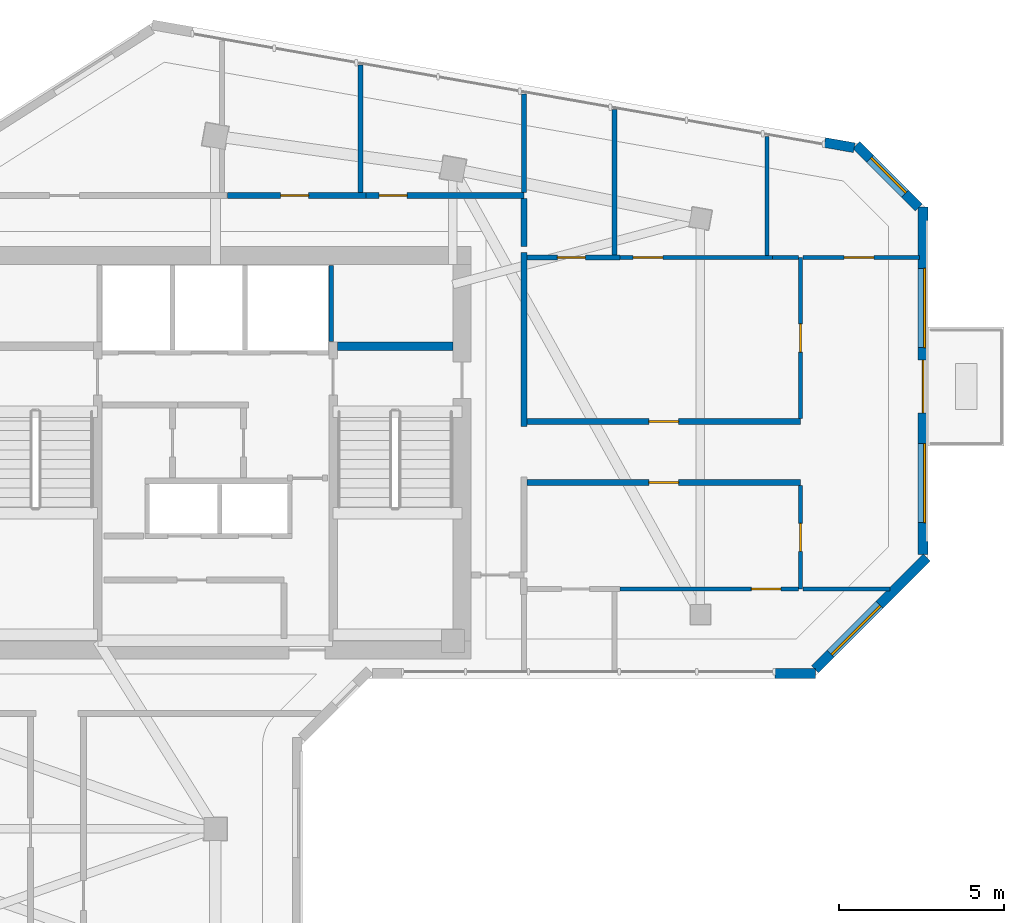
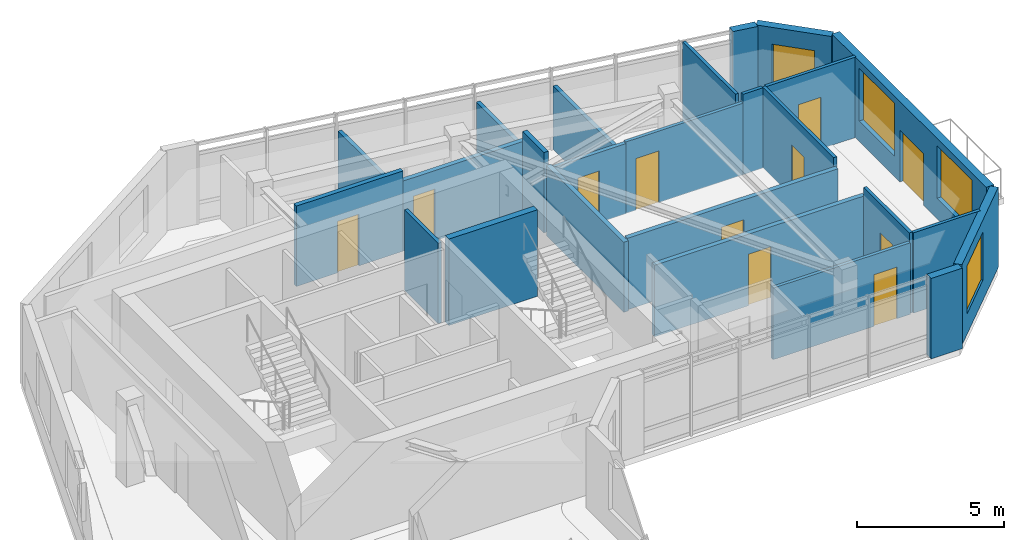
# One storey, part 6 of 10: 25 walls, 11 doors, 4 windows, 15 openings.
"""IFC4 building model written with IfcOpenShell, lengths in metres."""

import ifcopenshell
import ifcopenshell.guid

model = None  # the IFC model being written
_history = None  # IfcOwnerHistory: only IFC2X3 demands one
_inside = {}  # id of a spatial element -> (the spatial element, [elements in it])
_under = {}  # id of a project, library or spatial element -> (it, [spatial elements below it])
_declared = {}  # id of a project -> (the project, [libraries it declares])
_typed = {}  # id of a type object -> (the type object, [elements of that type])
_made_of = {}  # id of a material, layer set ... -> (it, [elements and type objects made of it])


def new_model(schema):
    """Start an empty IFC model of exactly this schema.

    Asked for "IFC4X3", IfcOpenShell would pick the latest addendum, in which some entities
    have other attributes; the version numbers below select the first issue.
    IFC2X3 requires an IfcOwnerHistory on every rooted entity: one is made here for all.
    """
    global model, _history
    if schema == "IFC4X3":
        model = ifcopenshell.file(schema_version=(4, 3, 0, 0))
    else:
        model = ifcopenshell.file(schema=schema)
    _inside.clear()
    _under.clear()
    _declared.clear()
    _typed.clear()
    _made_of.clear()
    _history = None
    if model.schema == "IFC2X3":
        org = make("IfcOrganization", Name="unknown")
        user = make(
            "IfcPersonAndOrganization",
            ThePerson=make("IfcPerson", FamilyName="unknown"),
            TheOrganization=org,
        )
        app = make(
            "IfcApplication",
            ApplicationDeveloper=org,
            Version="unknown",
            ApplicationFullName="unknown",
            ApplicationIdentifier="unknown",
        )
        _history = make(
            "IfcOwnerHistory",
            OwningUser=user,
            OwningApplication=app,
            ChangeAction="ADDED",
            CreationDate=0,
        )
    return model


def make(cls, **values):
    """One entity of the class cls with the attributes given. An attribute that is None is left unset."""
    return model.create_entity(
        cls, **{name: value for name, value in values.items() if value is not None}
    )


def rooted(cls, **values):
    """An entity with a GlobalId (a new one), such as an element, a storey or a relation."""
    return make(cls, GlobalId=ifcopenshell.guid.new(), OwnerHistory=_history, **values)


def si_unit(unit_type, name, prefix=None):
    """IfcSIUnit, for example si_unit("LENGTHUNIT", "METRE", prefix="MILLI")."""
    return make("IfcSIUnit", UnitType=unit_type, Prefix=prefix, Name=name)


def assignment(units):
    """IfcUnitAssignment: the units of a project."""
    return None if units is None else make("IfcUnitAssignment", Units=units)


def point(xyz):
    """IfcCartesianPoint."""
    return None if xyz is None else make("IfcCartesianPoint", Coordinates=xyz)


def direction(xyz):
    """IfcDirection."""
    return None if xyz is None else make("IfcDirection", DirectionRatios=xyz)


def frame(location, z_axis=None, x_axis=None):
    """IfcAxis2Placement3D, a coordinate frame: its origin and axes. An axis left out is left unset."""
    return make(
        "IfcAxis2Placement3D",
        Location=point(location),
        Axis=direction(z_axis),
        RefDirection=direction(x_axis),
    )


def frame_2d(location, x_axis=None):
    """IfcAxis2Placement2D, a coordinate frame in the plane: its origin and x axis."""
    return make(
        "IfcAxis2Placement2D", Location=point(location), RefDirection=direction(x_axis)
    )


def origin():
    """The frame at (0, 0, 0) with its axes left unset."""
    return frame((0.0, 0.0, 0.0))


def place(relative_to, where):
    """IfcLocalPlacement: puts the frame where relative to a parent placement (None: the world)."""
    return make(
        "IfcLocalPlacement", PlacementRelTo=relative_to, RelativePlacement=where
    )


def context(
    kind, dimensions, precision=None, world=None, true_north=None, identifier=None
):
    """IfcGeometricRepresentationContext, for example the 3D "Model" context."""
    return make(
        "IfcGeometricRepresentationContext",
        ContextIdentifier=identifier,
        ContextType=kind,
        CoordinateSpaceDimension=dimensions,
        Precision=precision,
        WorldCoordinateSystem=world,
        TrueNorth=true_north,
    )


def subcontext(parent, identifier, kind, view, scale=None):
    """IfcGeometricRepresentationSubContext, for example "Body" below "Model"."""
    return make(
        "IfcGeometricRepresentationSubContext",
        ContextIdentifier=identifier,
        ContextType=kind,
        ParentContext=parent,
        TargetScale=scale,
        TargetView=view,
    )


def project(units=None, contexts=None):
    """IfcProject with its units and contexts."""
    return rooted(
        "IfcProject",
        Name="project",
        RepresentationContexts=contexts,
        UnitsInContext=assignment(units),
    )


def spatial(cls, under=None, at=None, **own):
    """A site, building, storey or space (cls), placed at a placement, below another one or the project."""
    s = rooted(cls, ObjectPlacement=at, **own)
    if under is not None:
        _under.setdefault(under.id(), (under, []))[1].append(s)
    return s


def profile(cls, at=None, kind="AREA", **sizes):
    """A parametric profile (cls). Its sizes go by their IFC names, for example OverallWidth=200.0."""
    return make(cls, ProfileType=kind, Position=at, **sizes)


def rectangle(**sizes):
    """IfcRectangleProfileDef."""
    return profile("IfcRectangleProfileDef", **sizes)


def extrude(swept, where, along, depth):
    """IfcExtrudedAreaSolid: the profile swept, set in the frame where, extruded along a direction by depth."""
    return make(
        "IfcExtrudedAreaSolid",
        SweptArea=swept,
        Position=where,
        ExtrudedDirection=direction(along),
        Depth=depth,
    )


def shape(context_of_items, identifier, shape_type, items):
    """IfcShapeRepresentation: the items that make up one representation, for example the "Body"."""
    return make(
        "IfcShapeRepresentation",
        ContextOfItems=context_of_items,
        RepresentationIdentifier=identifier,
        RepresentationType=shape_type,
        Items=items,
    )


def source(mapping_origin, context_of_items, identifier, shape_type, items):
    """IfcRepresentationMap: a shape defined once, which mapped items show again and again."""
    return make(
        "IfcRepresentationMap",
        MappingOrigin=mapping_origin,
        MappedRepresentation=shape(context_of_items, identifier, shape_type, items),
    )


def transform(
    local_origin,
    x_axis=None,
    y_axis=None,
    z_axis=None,
    scale=None,
    scale2=None,
    scale3=None,
    uniform=True,
):
    """IfcCartesianTransformationOperator3D, or its non-uniform kind. x_axis, y_axis, z_axis: its Axis1, 2, 3."""
    if uniform:
        return make(
            "IfcCartesianTransformationOperator3D",
            Axis1=direction(x_axis),
            Axis2=direction(y_axis),
            LocalOrigin=point(local_origin),
            Scale=scale,
            Axis3=direction(z_axis),
        )
    return make(
        "IfcCartesianTransformationOperator3DnonUniform",
        Axis1=direction(x_axis),
        Axis2=direction(y_axis),
        LocalOrigin=point(local_origin),
        Scale=scale,
        Axis3=direction(z_axis),
        Scale2=scale2,
        Scale3=scale3,
    )


def mapped(mapping_source, mapping_target):
    """IfcMappedItem: shows the shape of a source again, moved by a transform."""
    return make(
        "IfcMappedItem", MappingSource=mapping_source, MappingTarget=mapping_target
    )


def material(Name=None, Category=None):
    """IfcMaterial."""
    return make("IfcMaterial", Name=Name, Category=Category)


def layer(
    of_material, thickness, ventilated=None, Name=None, Category=None, Priority=None
):
    """IfcMaterialLayer: one layer of a wall or slab, of a material (None: an air gap)."""
    return make(
        "IfcMaterialLayer",
        Material=of_material,
        LayerThickness=thickness,
        IsVentilated=ventilated,
        Name=Name,
        Category=Category,
        Priority=Priority,
    )


def layer_set(layers, Name=None):
    """IfcMaterialLayerSet."""
    return make("IfcMaterialLayerSet", MaterialLayers=layers, LayerSetName=Name)


def made_of(thing, what):
    """Note that an element or type object is made of a material, layer set ...; save() writes the relation."""
    if what is not None:
        _made_of.setdefault(what.id(), (what, []))[1].append(thing)
    return thing


def type_object(cls, material=None, **own):
    """A type object (cls), such as IfcWallType, which elements share."""
    return made_of(rooted(cls, **own), material)


def element(
    cls,
    number,
    at=None,
    inside=None,
    cuts=None,
    type_object=None,
    material=None,
    context=None,
    identifier="Body",
    shape_type=None,
    held_by="IfcProductDefinitionShape",
    body=None,
    shapes=None,
    **own,
):
    """One element of the class cls, such as IfcWall. Its Tag is "e" and its number.

    at: its placement. inside: the storey or other place that contains it. cuts: it is an
    opening in that element (IfcRelVoidsElement). A single representation is given by context,
    identifier, shape_type and body (its items); several are given by shapes. held_by: the class
    of the entity that holds the representations. save() writes the other relations.
    """
    e = rooted(cls, Tag="e%d" % number, ObjectPlacement=at, **own)
    if body is not None:
        shapes = [shape(context, identifier, shape_type, body)]
    if shapes is not None:
        e.Representation = make(held_by, Representations=shapes)
    if inside is not None:
        _inside.setdefault(inside.id(), (inside, []))[1].append(e)
    if cuts is not None:
        rooted(
            "IfcRelVoidsElement", RelatingBuildingElement=cuts, RelatedOpeningElement=e
        )
    if type_object is not None:
        _typed.setdefault(type_object.id(), (type_object, []))[1].append(e)
    return made_of(e, material)


def fill(opening, filler):
    """IfcRelFillsElement: the door or window that sits in an opening."""
    return rooted(
        "IfcRelFillsElement",
        RelatingOpeningElement=opening,
        RelatedBuildingElement=filler,
    )


def aggregate(whole, parts):
    """IfcRelAggregates: a whole, such as a stair, and the parts it consists of."""
    return rooted("IfcRelAggregates", RelatingObject=whole, RelatedObjects=parts)


def save(model, path):
    """Write the relations noted so far, then the file.

    IfcRelAggregates (storeys below a building ...), IfcRelContainedInSpatialStructure (elements
    in a storey), IfcRelDefinesByType, IfcRelAssociatesMaterial and IfcRelDeclares: one each for
    every whole, place, type object, material and project.
    """
    for whole, parts in _under.values():
        aggregate(whole, parts)
    for where, things in _inside.values():
        rooted(
            "IfcRelContainedInSpatialStructure",
            RelatedElements=things,
            RelatingStructure=where,
        )
    for kind, things in _typed.values():
        rooted("IfcRelDefinesByType", RelatedObjects=things, RelatingType=kind)
    for what, things in _made_of.values():
        rooted("IfcRelAssociatesMaterial", RelatedObjects=things, RelatingMaterial=what)
    for by, libraries in _declared.values():
        rooted("IfcRelDeclares", RelatingContext=by, RelatedDefinitions=libraries)
    model.write(path)


model = new_model("IFC4")

# Units and contexts
model_context = context("Model", 3, precision=1e-05, world=origin(), true_north=direction((0.0, 1.0)))
body_context = subcontext(model_context, "Body", "Model", "MODEL_VIEW")
ifc_project = project(units=[si_unit("LENGTHUNIT", "METRE"), si_unit("AREAUNIT", "SQUARE_METRE"), si_unit("VOLUMEUNIT", "CUBIC_METRE"), si_unit("PLANEANGLEUNIT", "RADIAN"), si_unit("MASSUNIT", "GRAM", prefix="KILO")], contexts=[model_context])

# Site, building, storey
site_placement = place(None, origin())
site = spatial("IfcSite", under=ifc_project, at=site_placement, CompositionType="ELEMENT")
building_placement = place(site_placement, origin())
building = spatial("IfcBuilding", under=site, at=building_placement, Name="Calvemar Wedge Station Tower", CompositionType="ELEMENT")
storey_placement = place(building_placement, frame((0.0, 0.0, 267.300048828125)))
storey = spatial("IfcBuildingStorey", under=building, at=storey_placement, Name="L68", CompositionType="ELEMENT", Elevation=267.300048828125)

# Wall
ifc_material_1 = material(Name="Concrete C50", Category="concrete")
ifc_layer_1 = layer(ifc_material_1, 0.260009765625)
ifc_layer_set_1 = layer_set([ifc_layer_1], Name="Concrete C50")
wall_type_1 = type_object("IfcWallType", Name="SW-CORE-260", PredefinedType="SHEAR", material=ifc_layer_set_1)
wall_1_placement = place(storey_placement, frame((27.5, 43.1298828125, 0.0), z_axis=(0.0, 0.0, 1.0), x_axis=(1.0, 0.0, 0.0)))
element("IfcWall", 1, at=wall_1_placement, inside=storey, type_object=wall_type_1, Name="Storey L68 Core Shear Wall STC2-N", PredefinedType="SHEAR", context=body_context, shape_type="SweptSolid", body=[
    extrude(rectangle(XDim=3.5, YDim=0.260009765625, at=frame_2d((1.75, 0.0))), origin(), (0.0, 0.0, 1.0), 3.599853515625),
])

# Wall, opening, door
ifc_material_2 = material(Name="Double-stud fire-rated corridor partition")
ifc_layer_2 = layer(ifc_material_2, 0.179931640625)
ifc_layer_set_2 = layer_set([ifc_layer_2], Name="Double-stud fire-rated corridor partition")
wall_type_2 = type_object("IfcWallType", Name="W-CORR-180", PredefinedType="PARTITIONING", material=ifc_layer_set_2)
wall_2_placement = place(storey_placement, frame((24.162109375, 47.699951171875, 0.0), z_axis=(0.0, 0.0, 1.0), x_axis=(1.0, 0.0, 0.0)))
wall_2 = element("IfcWall", 2, at=wall_2_placement, inside=storey, type_object=wall_type_2, Name="Storey L68 Interior Partition WL-L68-017", PredefinedType="PARTITIONING", context=body_context, shape_type="SweptSolid", body=[
    extrude(rectangle(XDim=4.197998046875, YDim=0.179931640625, at=frame_2d((2.09912109375, 0.0))), origin(), (0.0, 0.0, 1.0), 3.349853515625),
])
shared_shape_1 = source(origin(), body_context, "Body", "SweptSolid", [
    extrude(rectangle(XDim=0.85009765625, YDim=2.14990234375, at=frame_2d((0.425048828125, 1.074951171875))), frame((0.0, 0.10009765625, 0.0), z_axis=(0.0, -1.0, 0.0), x_axis=(1.0, 0.0, 0.0)), (0.0, 0.0, 1.0), 0.199951171875),
])
opening_1_placement = place(wall_2_placement, frame((1.61328125, 0.0, 0.0)))
opening_1 = element("IfcOpeningElement", 3, at=opening_1_placement, cuts=wall_2, Name="Opening D-02", PredefinedType="OPENING", context=body_context, shape_type="MappedRepresentation", body=[
    mapped(shared_shape_1, transform((0.0, 0.0, 0.0), scale=1.0)),
])
ifc_material_3 = material(Name="Moisture-sealed bathroom hardwood swing door", Category="wood")
door_type_1 = type_object("IfcDoorType", Name="DR-WET-850", OperationType="NOTDEFINED", PredefinedType="DOOR", material=ifc_material_3)
shared_shape_2 = source(origin(), body_context, "Body", "SweptSolid", [
    extrude(rectangle(XDim=0.85009765625, YDim=2.14990234375, at=frame_2d((0.425048828125, 1.074951171875))), frame((0.0, 0.02490234375, 0.0), z_axis=(0.0, -1.0, 0.0), x_axis=(1.0, 0.0, 0.0)), (0.0, 0.0, 1.0), 0.050048828125),
])
door_1_placement = place(opening_1_placement, origin())
door_1 = element("IfcDoor", 4, at=door_1_placement, inside=storey, type_object=door_type_1, Name="L68 Accessible WC Door", OperationType="SINGLE_SWING_RIGHT", OverallHeight=2.14990234375, OverallWidth=0.85009765625, PredefinedType="DOOR", context=body_context, shape_type="MappedRepresentation", body=[
    mapped(shared_shape_2, transform((0.0, 0.0, 0.0), scale=1.0)),
])
fill(opening_1, door_1)

wall_3_placement = place(storey_placement, frame((28.362060546875, 47.699951171875, 0.0), z_axis=(0.0, 0.0, 1.0), x_axis=(1.0, 0.0, 0.0)))
wall_3 = element("IfcWall", 5, at=wall_3_placement, inside=storey, type_object=wall_type_2, Name="Storey L68 Interior Partition WL-L68-018", PredefinedType="PARTITIONING", context=body_context, shape_type="SweptSolid", body=[
    extrude(rectangle(XDim=4.787841796875, YDim=0.179931640625, at=frame_2d((2.39404296875, 0.0))), origin(), (0.0, 0.0, 1.0), 2.921875),
])
opening_2_placement = place(wall_3_placement, frame((0.400634765625, 0.0, 0.0)))
opening_2 = element("IfcOpeningElement", 6, at=opening_2_placement, cuts=wall_3, Name="Opening D-02", PredefinedType="OPENING", context=body_context, shape_type="MappedRepresentation", body=[
    mapped(shared_shape_1, transform((0.0, 0.0, 0.0), scale=1.0)),
])
door_2_placement = place(opening_2_placement, origin())
door_2 = element("IfcDoor", 7, at=door_2_placement, inside=storey, type_object=door_type_1, Name="L68 Storage Room Door", OperationType="SINGLE_SWING_LEFT", OverallHeight=2.14990234375, OverallWidth=0.85009765625, PredefinedType="DOOR", context=body_context, shape_type="MappedRepresentation", body=[
    mapped(shared_shape_2, transform((0.0, 0.0, 0.0), scale=1.0)),
])
fill(opening_2, door_2)

# Walls
wall_4_placement = place(storey_placement, frame((33.14990234375, 47.60595703125, 0.0), z_axis=(0.0, 0.0, 1.0), x_axis=(0.0, -1.0, 0.0)))
element("IfcWall", 8, at=wall_4_placement, inside=storey, type_object=wall_type_2, Name="Storey L68 Interior Partition WL-L68-019", PredefinedType="PARTITIONING", context=body_context, shape_type="SweptSolid", body=[
    extrude(rectangle(XDim=1.4560546875, YDim=0.179931640625, at=frame_2d((0.72802734375, 0.0))), origin(), (0.0, 0.0, 1.0), 3.349853515625),
])
wall_5_placement = place(storey_placement, frame((33.14990234375, 45.97509765625, 0.0), z_axis=(0.0, 0.0, 1.0), x_axis=(0.0, -1.0, 0.0)))
element("IfcWall", 9, at=wall_5_placement, inside=storey, type_object=wall_type_2, Name="Storey L68 Interior Partition WL-L68-021", PredefinedType="PARTITIONING", context=body_context, shape_type="SweptSolid", body=[
    extrude(rectangle(XDim=5.28515625, YDim=0.179931640625, at=frame_2d((2.642578125, 0.0))), origin(), (0.0, 0.0, 1.0), 2.921875),
])

# Wall, opening, door
wall_6_placement = place(storey_placement, frame((33.243896484375, 40.85009765625, 0.0), z_axis=(0.0, 0.0, 1.0), x_axis=(1.0, 0.0, 0.0)))
wall_6 = element("IfcWall", 10, at=wall_6_placement, inside=storey, type_object=wall_type_2, Name="Storey L68 Interior Partition WL-L68-028", PredefinedType="PARTITIONING", context=body_context, shape_type="SweptSolid", body=[
    extrude(rectangle(XDim=8.291015625, YDim=0.179931640625, at=frame_2d((4.1455078125, 0.0))), origin(), (0.0, 0.0, 1.0), 2.97900390625),
])
shared_shape_3 = source(origin(), body_context, "Body", "SweptSolid", [
    extrude(rectangle(XDim=0.89990234375, YDim=2.14990234375, at=frame_2d((0.449951171875, 1.074951171875))), frame((0.0, 0.10009765625, 0.0), z_axis=(0.0, -1.0, 0.0), x_axis=(1.0, 0.0, 0.0)), (0.0, 0.0, 1.0), 0.199951171875),
])
opening_3_placement = place(wall_6_placement, frame((3.695556640625, 0.0, 0.0)))
opening_3 = element("IfcOpeningElement", 11, at=opening_3_placement, cuts=wall_6, Name="Opening FD-60", PredefinedType="OPENING", context=body_context, shape_type="MappedRepresentation", body=[
    mapped(shared_shape_3, transform((0.0, 0.0, 0.0), scale=1.0)),
])
ifc_material_4 = material(Name="Fire-rated acoustic timber-core entrance door EI 60", Category="wood")
door_type_2 = type_object("IfcDoorType", Name="DR-FD60-900", OperationType="NOTDEFINED", PredefinedType="DOOR", material=ifc_material_4)
shared_shape_4 = source(origin(), body_context, "Body", "SweptSolid", [
    extrude(rectangle(XDim=0.89990234375, YDim=2.14990234375, at=frame_2d((0.449951171875, 1.074951171875))), frame((0.0, 0.02490234375, 0.0), z_axis=(0.0, -1.0, 0.0), x_axis=(1.0, 0.0, 0.0)), (0.0, 0.0, 1.0), 0.050048828125),
])
door_3_placement = place(opening_3_placement, origin())
door_3 = element("IfcDoor", 12, at=door_3_placement, inside=storey, type_object=door_type_2, Name="L68 Living Dining Door", OperationType="SINGLE_SWING_LEFT", OverallHeight=2.14990234375, OverallWidth=0.89990234375, PredefinedType="DOOR", context=body_context, shape_type="MappedRepresentation", body=[
    mapped(shared_shape_4, transform((0.0, 0.0, 0.0), scale=1.0)),
])
fill(opening_3, door_3)

wall_7_placement = place(storey_placement, frame((41.534912109375, 39.0, 0.0), z_axis=(0.0, 0.0, 1.0), x_axis=(-1.0, 0.0, 0.0)))
wall_7 = element("IfcWall", 13, at=wall_7_placement, inside=storey, type_object=wall_type_2, Name="Storey L68 Interior Partition WL-L68-029", PredefinedType="PARTITIONING", context=body_context, shape_type="SweptSolid", body=[
    extrude(rectangle(XDim=8.291015625, YDim=0.179931640625, at=frame_2d((4.1455078125, 0.0))), origin(), (0.0, 0.0, 1.0), 2.97900390625),
])
opening_4_placement = place(wall_7_placement, frame((3.695556640625, 0.0, 0.0)))
opening_4 = element("IfcOpeningElement", 14, at=opening_4_placement, cuts=wall_7, Name="Opening FD-60", PredefinedType="OPENING", context=body_context, shape_type="MappedRepresentation", body=[
    mapped(shared_shape_3, transform((0.0, 0.0, 0.0), scale=1.0)),
])
door_4_placement = place(opening_4_placement, origin())
door_4 = element("IfcDoor", 15, at=door_4_placement, inside=storey, type_object=door_type_2, Name="L68 Living Dining Door", OperationType="SINGLE_SWING_RIGHT", OverallHeight=2.14990234375, OverallWidth=0.89990234375, PredefinedType="DOOR", context=body_context, shape_type="MappedRepresentation", body=[
    mapped(shared_shape_4, transform((0.0, 0.0, 0.0), scale=1.0)),
])
fill(opening_4, door_4)

# Wall
ifc_material_5 = material(Name="Precast concrete C45", Category="concrete")
ifc_layer_3 = layer(ifc_material_5, 0.300048828125)
ifc_layer_set_3 = layer_set([ifc_layer_3], Name="Precast concrete C45")
wall_type_3 = type_object("IfcWallType", Name="W-EXT-GFRC-300", PredefinedType="SOLIDWALL", material=ifc_layer_set_3)
wall_8_placement = place(storey_placement, frame((40.7578125, 33.2060546875, 0.0), z_axis=(0.0, 0.0, 1.0), x_axis=(1.0, 0.0, 0.0)))
element("IfcWall", 16, at=wall_8_placement, inside=storey, type_object=wall_type_3, Name="Storey L68 Bronze GFRC Corner Pier 6B", PredefinedType="SOLIDWALL", context=body_context, shape_type="SweptSolid", body=[
    extrude(rectangle(XDim=1.22998046875, YDim=0.300048828125, at=frame_2d((0.614990234375, 0.0))), origin(), (0.0, 0.0, 1.0), 3.349853515625),
])

# Wall, opening, window
wall_9_placement = place(storey_placement, frame((41.975830078125, 33.343994140625, 0.0), z_axis=(0.0, 0.0, 1.0), x_axis=(0.707132316343, 0.707081245108, 0.0)))
wall_9 = element("IfcWall", 17, at=wall_9_placement, inside=storey, type_object=wall_type_3, Name="Storey L68 Bronze GFRC Exterior Wall 7", PredefinedType="SOLIDWALL", context=body_context, shape_type="SweptSolid", body=[
    extrude(rectangle(XDim=4.7802734375, YDim=0.300048828125, at=frame_2d((2.39013671875, 0.0))), origin(), (0.0, 0.0, 1.0), 3.349853515625),
])
shared_shape_5 = source(origin(), body_context, "Body", "SweptSolid", [
    extrude(rectangle(XDim=2.10009765625, YDim=2.0, at=frame_2d((1.050048828125, 1.0))), frame((0.0, 0.16015625, 0.0), z_axis=(0.0, -1.0, 0.0), x_axis=(1.0, 0.0, 0.0)), (0.0, 0.0, 1.0), 0.320068359375),
])
opening_5_placement = place(wall_9_placement, frame((0.658935546875, 0.0, 0.85009765625)))
opening_5 = element("IfcOpeningElement", 18, at=opening_5_placement, cuts=wall_9, Name="Opening W4", PredefinedType="OPENING", context=body_context, shape_type="MappedRepresentation", body=[
    mapped(shared_shape_5, transform((0.0, 0.0, 0.0), scale=1.0)),
])
ifc_material_6 = material(Name="Low-E laminated insulated glass", Category="glass")
window_type_1 = type_object("IfcWindowType", Name="WIN-EXT-4", PartitioningType="SINGLE_PANEL", PredefinedType="WINDOW", material=ifc_material_6)
shared_shape_6 = source(origin(), body_context, "Body", "SweptSolid", [
    extrude(rectangle(XDim=2.10009765625, YDim=2.0, at=frame_2d((1.050048828125, 1.0))), frame((0.0, -0.014892578125, 0.0), z_axis=(0.0, -1.0, 0.0), x_axis=(1.0, 0.0, 0.0)), (0.0, 0.0, 1.0), 0.06005859375),
])
window_1_placement = place(opening_5_placement, origin())
window_1 = element("IfcWindow", 19, at=window_1_placement, inside=storey, type_object=window_type_1, Name="Storey L68 Recessed Window 7.1", OverallHeight=2.0, OverallWidth=2.10009765625, PartitioningType="SINGLE_PANEL", PredefinedType="WINDOW", context=body_context, shape_type="MappedRepresentation", body=[
    mapped(shared_shape_6, transform((0.0, 0.0, 0.0), scale=1.0)),
])
fill(opening_5, window_1)

# Wall, openings, windows, door
wall_10_placement = place(storey_placement, frame((45.25, 36.813232421875, 0.0), z_axis=(0.0, 0.0, 1.0), x_axis=(0.0, 1.0, 0.0)))
wall_10 = element("IfcWall", 20, at=wall_10_placement, inside=storey, type_object=wall_type_3, Name="Storey L68 Bronze GFRC Exterior Wall 8", PredefinedType="SOLIDWALL", context=body_context, shape_type="SweptSolid", body=[
    extrude(rectangle(XDim=10.53076171875, YDim=0.300048828125, at=frame_2d((5.265380859375, 0.0))), origin(), (0.0, 0.0, 1.0), 3.349853515625),
])
shared_shape_7 = source(origin(), body_context, "Body", "SweptSolid", [
    extrude(rectangle(XDim=1.60009765625, YDim=2.14990234375, at=frame_2d((0.800048828125, 1.074951171875))), frame((0.0, 0.16015625, 0.0), z_axis=(0.0, -1.0, 0.0), x_axis=(1.0, 0.0, 0.0)), (0.0, 0.0, 1.0), 0.320068359375),
])
opening_6_placement = place(wall_10_placement, frame((4.29296875, 0.0, 0.0)))
opening_6 = element("IfcOpeningElement", 21, at=opening_6_placement, cuts=wall_10, Name="Opening DT1", PredefinedType="OPENING", context=body_context, shape_type="MappedRepresentation", body=[
    mapped(shared_shape_7, transform((0.0, 0.0, 0.0), scale=1.0)),
])
shared_shape_8 = source(origin(), body_context, "Body", "SweptSolid", [
    extrude(rectangle(XDim=2.39990234375, YDim=2.199951171875, at=frame_2d((1.199951171875, 1.10009765625))), frame((0.0, 0.16015625, 0.0), z_axis=(0.0, -1.0, 0.0), x_axis=(1.0, 0.0, 0.0)), (0.0, 0.0, 1.0), 0.320068359375),
])
opening_7_placement = place(wall_10_placement, frame((0.967041015625, 0.0, 0.85009765625)))
opening_7 = element("IfcOpeningElement", 22, at=opening_7_placement, cuts=wall_10, Name="Opening W1", PredefinedType="OPENING", context=body_context, shape_type="MappedRepresentation", body=[
    mapped(shared_shape_8, transform((0.0, 0.0, 0.0), scale=1.0)),
])
opening_8_placement = place(wall_10_placement, frame((6.277099609375, 0.0, 0.85009765625)))
opening_8 = element("IfcOpeningElement", 23, at=opening_8_placement, cuts=wall_10, Name="Opening W1", PredefinedType="OPENING", context=body_context, shape_type="MappedRepresentation", body=[
    mapped(shared_shape_8, transform((0.0, 0.0, 0.0), scale=1.0)),
])
window_type_2 = type_object("IfcWindowType", Name="WIN-EXT-1", PartitioningType="SINGLE_PANEL", PredefinedType="WINDOW", material=ifc_material_6)
shared_shape_9 = source(origin(), body_context, "Body", "SweptSolid", [
    extrude(rectangle(XDim=2.39990234375, YDim=2.199951171875, at=frame_2d((1.199951171875, 1.10009765625))), frame((0.0, -0.014892578125, 0.0), z_axis=(0.0, -1.0, 0.0), x_axis=(1.0, 0.0, 0.0)), (0.0, 0.0, 1.0), 0.06005859375),
])
window_2_placement = place(opening_7_placement, origin())
window_2 = element("IfcWindow", 24, at=window_2_placement, inside=storey, type_object=window_type_2, Name="Storey L68 Recessed Window 8.1", OverallHeight=2.199951171875, OverallWidth=2.39990234375, PartitioningType="SINGLE_PANEL", PredefinedType="WINDOW", context=body_context, shape_type="MappedRepresentation", body=[
    mapped(shared_shape_9, transform((0.0, 0.0, 0.0), scale=1.0)),
])
fill(opening_7, window_2)
window_3_placement = place(opening_8_placement, origin())
window_3 = element("IfcWindow", 25, at=window_3_placement, inside=storey, type_object=window_type_2, Name="Storey L68 Recessed Window 8.2", OverallHeight=2.199951171875, OverallWidth=2.39990234375, PartitioningType="SINGLE_PANEL", PredefinedType="WINDOW", context=body_context, shape_type="MappedRepresentation", body=[
    mapped(shared_shape_9, transform((0.0, 0.0, 0.0), scale=1.0)),
])
fill(opening_8, window_3)
ifc_material_7 = material(Name="Anodised aluminium 6063-T6", Category="aluminium")
door_type_3 = type_object("IfcDoorType", Name="DR-TERR-1600", OperationType="DOUBLE_DOOR_SLIDING", PredefinedType="DOOR", material=ifc_material_7)
shared_shape_10 = source(origin(), body_context, "Body", "SweptSolid", [
    extrude(rectangle(XDim=1.60009765625, YDim=2.14990234375, at=frame_2d((0.800048828125, 1.074951171875))), frame((0.0, 0.02490234375, 0.0), z_axis=(0.0, -1.0, 0.0), x_axis=(1.0, 0.0, 0.0)), (0.0, 0.0, 1.0), 0.050048828125),
])
door_5_placement = place(opening_6_placement, origin())
door_5 = element("IfcDoor", 26, at=door_5_placement, inside=storey, type_object=door_type_3, Name="Storey L68 Spiral Terrace Door", OperationType="DOUBLE_DOOR_SLIDING", OverallHeight=2.14990234375, OverallWidth=1.60009765625, PredefinedType="DOOR", context=body_context, shape_type="MappedRepresentation", body=[
    mapped(shared_shape_10, transform((0.0, 0.0, 0.0), scale=1.0)),
])
fill(opening_6, door_5)

# Wall, opening, window
wall_11_placement = place(storey_placement, frame((45.112060546875, 47.331787109375, 0.0), z_axis=(0.0, 0.0, 1.0), x_axis=(-0.707106781187, 0.707106781187, 0.0)))
wall_11 = element("IfcWall", 27, at=wall_11_placement, inside=storey, type_object=wall_type_3, Name="Storey L68 Bronze GFRC Exterior Wall 9", PredefinedType="SOLIDWALL", context=body_context, shape_type="SweptSolid", body=[
    extrude(rectangle(XDim=2.673828125, YDim=0.300048828125, at=frame_2d((1.3369140625, 0.0))), origin(), (0.0, 0.0, 1.0), 3.349853515625),
])
shared_shape_11 = source(origin(), body_context, "Body", "SweptSolid", [
    extrude(rectangle(XDim=1.5, YDim=1.800048828125, at=frame_2d((0.75, 0.89990234375))), frame((0.0, 0.16015625, 0.0), z_axis=(0.0, -1.0, 0.0), x_axis=(1.0, 0.0, 0.0)), (0.0, 0.0, 1.0), 0.320068359375),
])
opening_9_placement = place(wall_11_placement, frame((0.5869140625, 0.0, 0.85009765625)))
opening_9 = element("IfcOpeningElement", 28, at=opening_9_placement, cuts=wall_11, Name="Opening W3", PredefinedType="OPENING", context=body_context, shape_type="MappedRepresentation", body=[
    mapped(shared_shape_11, transform((0.0, 0.0, 0.0), scale=1.0)),
])
window_type_3 = type_object("IfcWindowType", Name="WIN-EXT-3", PartitioningType="SINGLE_PANEL", PredefinedType="WINDOW", material=ifc_material_6)
shared_shape_12 = source(origin(), body_context, "Body", "SweptSolid", [
    extrude(rectangle(XDim=1.5, YDim=1.800048828125, at=frame_2d((0.75, 0.89990234375))), frame((0.0, -0.014892578125, 0.0), z_axis=(0.0, -1.0, 0.0), x_axis=(1.0, 0.0, 0.0)), (0.0, 0.0, 1.0), 0.06005859375),
])
window_4_placement = place(opening_9_placement, origin())
window_4 = element("IfcWindow", 29, at=window_4_placement, inside=storey, type_object=window_type_3, Name="Storey L68 Recessed Window 9.1", OverallHeight=1.800048828125, OverallWidth=1.5, PartitioningType="SINGLE_PANEL", PredefinedType="WINDOW", context=body_context, shape_type="MappedRepresentation", body=[
    mapped(shared_shape_12, transform((0.0, 0.0, 0.0), scale=1.0)),
])
fill(opening_9, window_4)

# Walls
wall_12_placement = place(storey_placement, frame((43.161376953125, 49.1455078125, 0.0), z_axis=(0.0, 0.0, 1.0), x_axis=(-0.985052066521, 0.172256861238, 0.0)))
element("IfcWall", 30, at=wall_12_placement, inside=storey, type_object=wall_type_3, Name="Storey L68 Bronze GFRC Corner Pier 10A", PredefinedType="SOLIDWALL", context=body_context, shape_type="SweptSolid", body=[
    extrude(rectangle(XDim=0.911376953125, YDim=0.300048828125, at=frame_2d((0.45556640625, 0.0))), origin(), (0.0, 0.0, 1.0), 3.349853515625),
])
ifc_material_8 = material(Name="Reinforced concrete blockwork lift shaft wall", Category="masonry")
ifc_layer_4 = layer(ifc_material_8, 0.139892578125)
ifc_layer_set_4 = layer_set([ifc_layer_4], Name="Reinforced concrete blockwork lift shaft wall")
wall_type_4 = type_object("IfcWallType", Name="W-LIFT-160", PredefinedType="SOLIDWALL", material=ifc_layer_set_4)
wall_13_placement = place(storey_placement, frame((27.31005859375, 43.280029296875, 0.0), z_axis=(0.0, 0.0, 1.0), x_axis=(0.0, 1.0, 0.0)))
element("IfcWall", 31, at=wall_13_placement, inside=storey, type_object=wall_type_4, Name="Storey L68 Firefighting Lift Shaft Enclosure Wall E", PredefinedType="SOLIDWALL", context=body_context, shape_type="SweptSolid", body=[
    extrude(rectangle(XDim=2.300048828125, YDim=0.139892578125, at=frame_2d((1.14990234375, 0.0))), origin(), (0.0, 0.0, 1.0), 3.349853515625),
])

# Wall, opening, door
ifc_material_9 = material(Name="Insulated acoustic gypsum stud partition")
ifc_layer_5 = layer(ifc_material_9, 0.125)
ifc_layer_set_5 = layer_set([ifc_layer_5], Name="Insulated acoustic gypsum stud partition")
wall_type_5 = type_object("IfcWallType", Name="W-PART-125", PredefinedType="PARTITIONING", material=ifc_layer_set_5)
wall_14_placement = place(storey_placement, frame((41.534912109375, 45.81494140625, 0.0), z_axis=(0.0, 0.0, 1.0), x_axis=(0.0, -1.0, 0.0)))
wall_14 = element("IfcWall", 32, at=wall_14_placement, inside=storey, type_object=wall_type_5, Name="Storey L68 Interior Partition WL-L68-032", PredefinedType="PARTITIONING", context=body_context, shape_type="SweptSolid", body=[
    extrude(rectangle(XDim=4.870849609375, YDim=0.125, at=frame_2d((2.435546875, 0.0))), origin(), (0.0, 0.0, 1.0), 3.349853515625),
])
shared_shape_13 = source(origin(), body_context, "Body", "SweptSolid", [
    extrude(rectangle(XDim=0.85009765625, YDim=2.14990234375, at=frame_2d((0.425048828125, 1.074951171875))), frame((0.0, 0.072509765625, 0.0), z_axis=(0.0, -1.0, 0.0), x_axis=(1.0, 0.0, 0.0)), (0.0, 0.0, 1.0), 0.14501953125),
])
opening_10_placement = place(wall_14_placement, frame((2.010498046875, 0.0, 0.0)))
opening_10 = element("IfcOpeningElement", 33, at=opening_10_placement, cuts=wall_14, Name="Opening D-02", PredefinedType="OPENING", context=body_context, shape_type="MappedRepresentation", body=[
    mapped(shared_shape_13, transform((0.0, 0.0, 0.0), scale=1.0)),
])
door_6_placement = place(opening_10_placement, origin())
door_6 = element("IfcDoor", 34, at=door_6_placement, inside=storey, type_object=door_type_1, Name="L68 Kitchen Door", OperationType="SINGLE_SWING_RIGHT", OverallHeight=2.14990234375, OverallWidth=0.85009765625, PredefinedType="DOOR", context=body_context, shape_type="MappedRepresentation", body=[
    mapped(shared_shape_2, transform((0.0, 0.0, 0.0), scale=1.0)),
])
fill(opening_10, door_6)

wall_15_placement = place(storey_placement, frame((36.06201171875, 45.81494140625, 0.0), z_axis=(0.0, 0.0, 1.0), x_axis=(1.0, 0.0, 0.0)))
wall_15 = element("IfcWall", 35, at=wall_15_placement, inside=storey, type_object=wall_type_5, Name="Storey L68 Interior Partition WL-L68-034", PredefinedType="PARTITIONING", context=body_context, shape_type="SweptSolid", body=[
    extrude(rectangle(XDim=4.614990234375, YDim=0.125, at=frame_2d((2.3076171875, 0.0))), origin(), (0.0, 0.0, 1.0), 2.97900390625),
])
shared_shape_14 = source(origin(), body_context, "Body", "SweptSolid", [
    extrude(rectangle(XDim=0.89990234375, YDim=2.14990234375, at=frame_2d((0.449951171875, 1.074951171875))), frame((0.0, 0.072509765625, 0.0), z_axis=(0.0, -1.0, 0.0), x_axis=(1.0, 0.0, 0.0)), (0.0, 0.0, 1.0), 0.14501953125),
])
opening_11_placement = place(wall_15_placement, frame((0.4013671875, 0.0, 0.0)))
opening_11 = element("IfcOpeningElement", 36, at=opening_11_placement, cuts=wall_15, Name="Opening D-01", PredefinedType="OPENING", context=body_context, shape_type="MappedRepresentation", body=[
    mapped(shared_shape_14, transform((0.0, 0.0, 0.0), scale=1.0)),
])
ifc_material_10 = material(Name="Architectural hardwood acoustic swing door", Category="wood")
door_type_4 = type_object("IfcDoorType", Name="DR-INT-900", OperationType="NOTDEFINED", PredefinedType="DOOR", material=ifc_material_10)
shared_shape_15 = source(origin(), body_context, "Body", "SweptSolid", [
    extrude(rectangle(XDim=0.89990234375, YDim=2.14990234375, at=frame_2d((0.449951171875, 1.074951171875))), frame((0.0, 0.02490234375, 0.0), z_axis=(0.0, -1.0, 0.0), x_axis=(1.0, 0.0, 0.0)), (0.0, 0.0, 1.0), 0.050048828125),
])
door_7_placement = place(opening_11_placement, origin())
door_7 = element("IfcDoor", 37, at=door_7_placement, inside=storey, type_object=door_type_4, Name="L68 Master Bedroom Door", OperationType="SINGLE_SWING_RIGHT", OverallHeight=2.14990234375, OverallWidth=0.89990234375, PredefinedType="DOOR", context=body_context, shape_type="MappedRepresentation", body=[
    mapped(shared_shape_15, transform((0.0, 0.0, 0.0), scale=1.0)),
])
fill(opening_11, door_7)

# Wall
wall_16_placement = place(storey_placement, frame((40.678955078125, 45.81494140625, 0.0), z_axis=(0.0, 0.0, 1.0), x_axis=(1.0, 0.0, 0.0)))
element("IfcWall", 38, at=wall_16_placement, inside=storey, type_object=wall_type_5, Name="Storey L68 Interior Partition WL-L68-035", PredefinedType="PARTITIONING", context=body_context, shape_type="SweptSolid", body=[
    extrude(rectangle(XDim=0.78955078125, YDim=0.125, at=frame_2d((0.394775390625, 0.0))), origin(), (0.0, 0.0, 1.0), 3.349853515625),
])

# Wall, opening, door
wall_17_placement = place(storey_placement, frame((41.6015625, 45.81494140625, 0.0), z_axis=(0.0, 0.0, 1.0), x_axis=(1.0, 0.0, 0.0)))
wall_17 = element("IfcWall", 39, at=wall_17_placement, inside=storey, type_object=wall_type_5, Name="Storey L68 Interior Partition WL-L68-036", PredefinedType="PARTITIONING", context=body_context, shape_type="SweptSolid", body=[
    extrude(rectangle(XDim=3.533447265625, YDim=0.125, at=frame_2d((1.7666015625, 0.0))), origin(), (0.0, 0.0, 1.0), 3.349853515625),
])
opening_12_placement = place(wall_17_placement, frame((1.255859375, 0.0, 0.0)))
opening_12 = element("IfcOpeningElement", 40, at=opening_12_placement, cuts=wall_17, Name="Opening D-01", PredefinedType="OPENING", context=body_context, shape_type="MappedRepresentation", body=[
    mapped(shared_shape_14, transform((0.0, 0.0, 0.0), scale=1.0)),
])
door_8_placement = place(opening_12_placement, origin())
door_8 = element("IfcDoor", 41, at=door_8_placement, inside=storey, type_object=door_type_4, Name="L68 Master Bedroom Door", OperationType="SINGLE_SWING_LEFT", OverallHeight=2.14990234375, OverallWidth=0.89990234375, PredefinedType="DOOR", context=body_context, shape_type="MappedRepresentation", body=[
    mapped(shared_shape_15, transform((0.0, 0.0, 0.0), scale=1.0)),
])
fill(opening_12, door_8)

# Wall
wall_18_placement = place(storey_placement, frame((40.51708984375, 49.491455078125, 0.0), z_axis=(0.0, 0.0, 1.0), x_axis=(0.0, -1.0, 0.0)))
element("IfcWall", 42, at=wall_18_placement, inside=storey, type_object=wall_type_5, Name="Storey L68 Interior Partition WL-L68-038", PredefinedType="PARTITIONING", context=body_context, shape_type="SweptSolid", body=[
    extrude(rectangle(XDim=3.60986328125, YDim=0.125, at=frame_2d((1.804931640625, 0.0))), origin(), (0.0, 0.0, 1.0), 3.349853515625),
])

# Wall, opening, door
wall_19_placement = place(storey_placement, frame((41.534912109375, 38.906005859375, 0.0), z_axis=(0.0, 0.0, 1.0), x_axis=(0.0, -1.0, 0.0)))
wall_19 = element("IfcWall", 43, at=wall_19_placement, inside=storey, type_object=wall_type_5, Name="Storey L68 Interior Partition WL-L68-039", PredefinedType="PARTITIONING", context=body_context, shape_type="SweptSolid", body=[
    extrude(rectangle(XDim=3.135009765625, YDim=0.125, at=frame_2d((1.5673828125, 0.0))), origin(), (0.0, 0.0, 1.0), 3.349853515625),
])
opening_13_placement = place(wall_19_placement, frame((1.142578125, 0.0, 0.0)))
opening_13 = element("IfcOpeningElement", 44, at=opening_13_placement, cuts=wall_19, Name="Opening D-02", PredefinedType="OPENING", context=body_context, shape_type="MappedRepresentation", body=[
    mapped(shared_shape_13, transform((0.0, 0.0, 0.0), scale=1.0)),
])
door_9_placement = place(opening_13_placement, origin())
door_9 = element("IfcDoor", 45, at=door_9_placement, inside=storey, type_object=door_type_1, Name="L68 Kitchen Door", OperationType="SINGLE_SWING_LEFT", OverallHeight=2.14990234375, OverallWidth=0.85009765625, PredefinedType="DOOR", context=body_context, shape_type="MappedRepresentation", body=[
    mapped(shared_shape_2, transform((0.0, 0.0, 0.0), scale=1.0)),
])
fill(opening_13, door_9)

wall_20_placement = place(storey_placement, frame((41.468505859375, 35.77099609375, 0.0), z_axis=(0.0, 0.0, 1.0), x_axis=(-1.0, 0.0, 0.0)))
wall_20 = element("IfcWall", 46, at=wall_20_placement, inside=storey, type_object=wall_type_5, Name="Storey L68 Interior Partition WL-L68-041", PredefinedType="PARTITIONING", context=body_context, shape_type="SweptSolid", body=[
    extrude(rectangle(XDim=5.406494140625, YDim=0.125, at=frame_2d((2.703125, 0.0))), origin(), (0.0, 0.0, 1.0), 2.97900390625),
])
opening_14_placement = place(wall_20_placement, frame((0.526611328125, 0.0, 0.0)))
opening_14 = element("IfcOpeningElement", 47, at=opening_14_placement, cuts=wall_20, Name="Opening D-01", PredefinedType="OPENING", context=body_context, shape_type="MappedRepresentation", body=[
    mapped(shared_shape_14, transform((0.0, 0.0, 0.0), scale=1.0)),
])
door_10_placement = place(opening_14_placement, origin())
door_10 = element("IfcDoor", 48, at=door_10_placement, inside=storey, type_object=door_type_4, Name="L68 Master Bedroom Door", OperationType="SINGLE_SWING_LEFT", OverallHeight=2.14990234375, OverallWidth=0.89990234375, PredefinedType="DOOR", context=body_context, shape_type="MappedRepresentation", body=[
    mapped(shared_shape_15, transform((0.0, 0.0, 0.0), scale=1.0)),
])
fill(opening_14, door_10)

# Walls
wall_21_placement = place(storey_placement, frame((44.240234375, 35.77099609375, 0.0), z_axis=(0.0, 0.0, 1.0), x_axis=(-1.0, 0.0, 0.0)))
element("IfcWall", 49, at=wall_21_placement, inside=storey, type_object=wall_type_5, Name="Storey L68 Interior Partition WL-L68-042", PredefinedType="PARTITIONING", context=body_context, shape_type="SweptSolid", body=[
    extrude(rectangle(XDim=2.638671875, YDim=0.125, at=frame_2d((1.3193359375, 0.0))), origin(), (0.0, 0.0, 1.0), 3.349853515625),
])
ifc_material_11 = material(Name="Moisture-resistant acoustic bathroom partition")
ifc_layer_6 = layer(ifc_material_11, 0.14990234375)
ifc_layer_set_6 = layer_set([ifc_layer_6], Name="Moisture-resistant acoustic bathroom partition")
wall_type_6 = type_object("IfcWallType", Name="W-WET-150", PredefinedType="PARTITIONING", material=ifc_layer_set_6)
wall_22_placement = place(storey_placement, frame((28.199951171875, 51.646240234375, 0.0), z_axis=(0.0, 0.0, 1.0), x_axis=(0.0, -1.0, 0.0)))
element("IfcWall", 50, at=wall_22_placement, inside=storey, type_object=wall_type_6, Name="Storey L68 Interior Partition WL-L68-026", PredefinedType="PARTITIONING", context=body_context, shape_type="SweptSolid", body=[
    extrude(rectangle(XDim=3.852294921875, YDim=0.14990234375, at=frame_2d((1.92626953125, 0.0))), origin(), (0.0, 0.0, 1.0), 2.641845703125),
])
wall_23_placement = place(storey_placement, frame((33.14990234375, 50.7802734375, 0.0), z_axis=(0.0, 0.0, 1.0), x_axis=(0.0, -1.0, 0.0)))
element("IfcWall", 51, at=wall_23_placement, inside=storey, type_object=wall_type_6, Name="Storey L68 Interior Partition WL-L68-027", PredefinedType="PARTITIONING", context=body_context, shape_type="SweptSolid", body=[
    extrude(rectangle(XDim=2.986328125, YDim=0.14990234375, at=frame_2d((1.4931640625, 0.0))), origin(), (0.0, 0.0, 1.0), 2.641845703125),
])

# Wall, opening, door
wall_24_placement = place(storey_placement, frame((33.243896484375, 45.81494140625, 0.0), z_axis=(0.0, 0.0, 1.0), x_axis=(1.0, 0.0, 0.0)))
wall_24 = element("IfcWall", 52, at=wall_24_placement, inside=storey, type_object=wall_type_6, Name="Storey L68 Interior Partition WL-L68-033", PredefinedType="PARTITIONING", context=body_context, shape_type="SweptSolid", body=[
    extrude(rectangle(XDim=2.816162109375, YDim=0.14990234375, at=frame_2d((1.408203125, 0.0))), origin(), (0.0, 0.0, 1.0), 2.921875),
])
shared_shape_16 = source(origin(), body_context, "Body", "SweptSolid", [
    extrude(rectangle(XDim=0.85009765625, YDim=2.14990234375, at=frame_2d((0.425048828125, 1.074951171875))), frame((0.0, 0.0849609375, 0.0), z_axis=(0.0, -1.0, 0.0), x_axis=(1.0, 0.0, 0.0)), (0.0, 0.0, 1.0), 0.169921875),
])
opening_15_placement = place(wall_24_placement, frame((0.919189453125, 0.0, 0.0)))
opening_15 = element("IfcOpeningElement", 53, at=opening_15_placement, cuts=wall_24, Name="Opening D-02", PredefinedType="OPENING", context=body_context, shape_type="MappedRepresentation", body=[
    mapped(shared_shape_16, transform((0.0, 0.0, 0.0), scale=1.0)),
])
door_11_placement = place(opening_15_placement, origin())
door_11 = element("IfcDoor", 54, at=door_11_placement, inside=storey, type_object=door_type_1, Name="L68 Bathroom Door", OperationType="SINGLE_SWING_LEFT", OverallHeight=2.14990234375, OverallWidth=0.85009765625, PredefinedType="DOOR", context=body_context, shape_type="MappedRepresentation", body=[
    mapped(shared_shape_2, transform((0.0, 0.0, 0.0), scale=1.0)),
])
fill(opening_15, door_11)

# Wall
wall_25_placement = place(storey_placement, frame((35.89990234375, 50.299072265625, 0.0), z_axis=(0.0, 0.0, 1.0), x_axis=(0.0, -1.0, 0.0)))
element("IfcWall", 55, at=wall_25_placement, inside=storey, type_object=wall_type_6, Name="Storey L68 Interior Partition WL-L68-037", PredefinedType="PARTITIONING", context=body_context, shape_type="SweptSolid", body=[
    extrude(rectangle(XDim=4.405029296875, YDim=0.14990234375, at=frame_2d((2.20263671875, 0.0))), origin(), (0.0, 0.0, 1.0), 2.641845703125),
])

save(model, "model.ifc")
